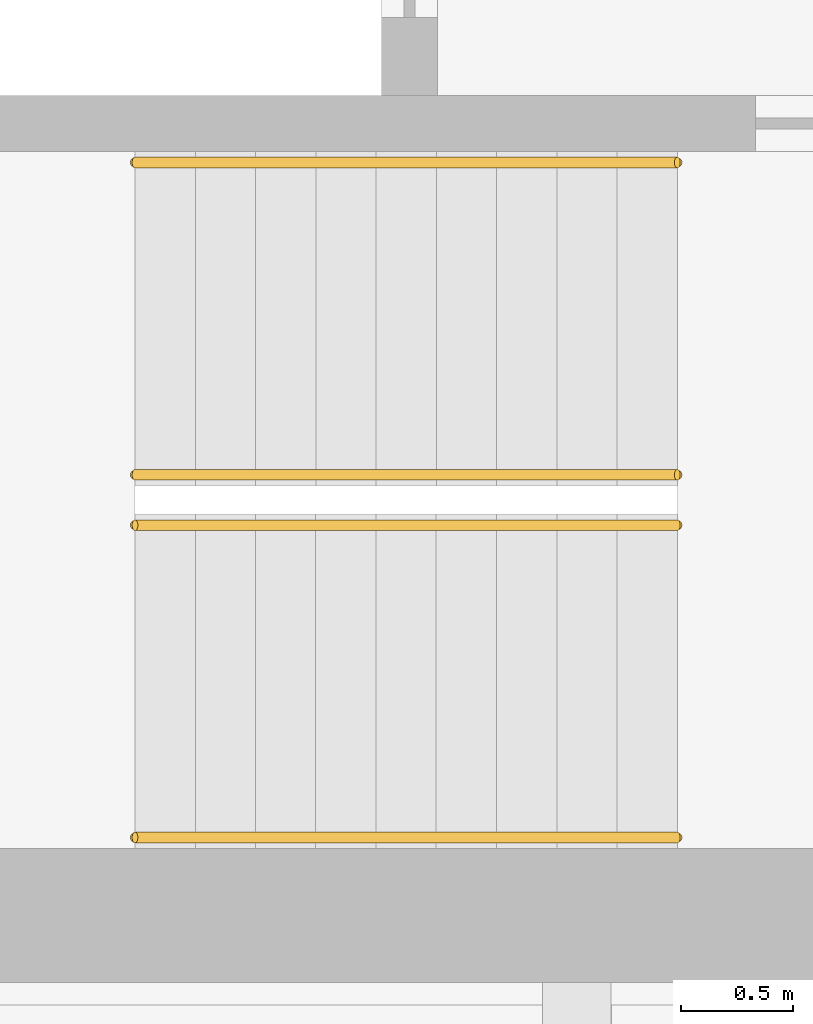
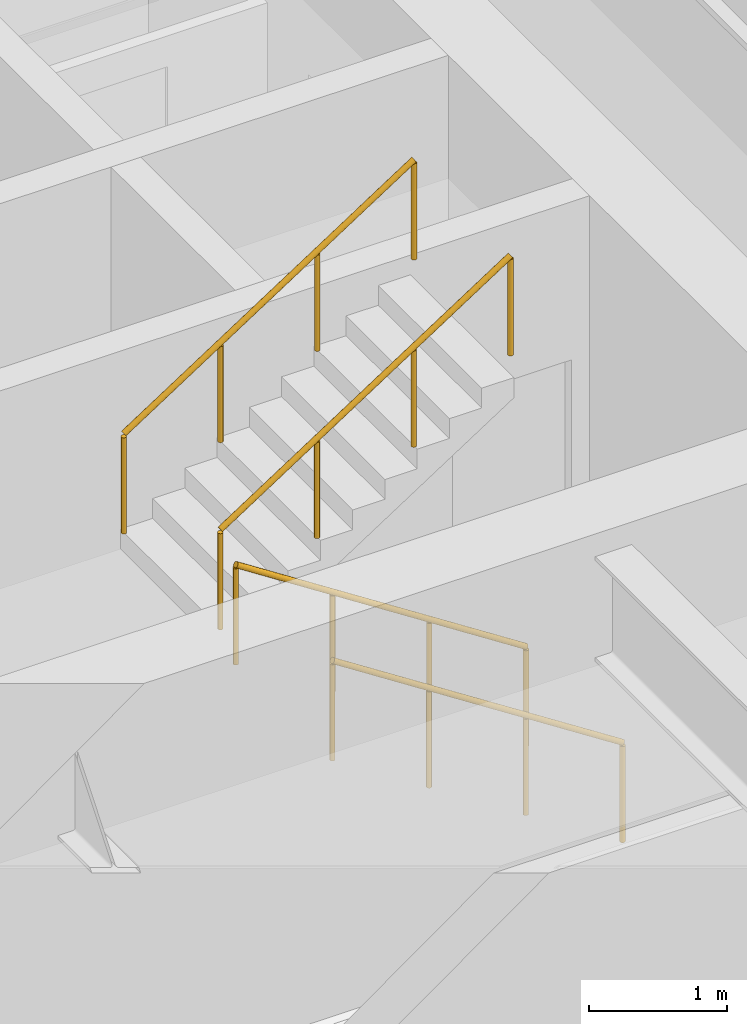
# One storey, part 17 of 21: 4 railings.
"""IFC4 building model written with IfcOpenShell, lengths in metres."""

from ifc_helpers import new_model, si_unit, direction, frame, origin, origin_2d, place, context, subcontext, project, spatial, circle, extrude, material, type_object, element, save


model = new_model("IFC4")

# Units and contexts
model_context = context("Model", 3, precision=1e-05, world=origin(), true_north=direction((0.0, 1.0)))
body_context = subcontext(model_context, "Body", "Model", "MODEL_VIEW")
ifc_project = project(units=[si_unit("LENGTHUNIT", "METRE"), si_unit("AREAUNIT", "SQUARE_METRE"), si_unit("VOLUMEUNIT", "CUBIC_METRE"), si_unit("PLANEANGLEUNIT", "RADIAN"), si_unit("MASSUNIT", "GRAM", prefix="KILO")], contexts=[model_context])

# Site, building, storey
site_placement = place(None, origin())
site = spatial("IfcSite", under=ifc_project, at=site_placement, CompositionType="ELEMENT")
building_placement = place(site_placement, origin())
building = spatial("IfcBuilding", under=site, at=building_placement, Name="Msasa Ring Tower", CompositionType="ELEMENT")
storey_placement = place(building_placement, frame((0.0, 0.0, 30.0)))
storey = spatial("IfcBuildingStorey", under=building, at=storey_placement, Name="L06", CompositionType="ELEMENT", Elevation=30.0)

# Railings
ifc_material = material(Name="Stainless steel", Category="steel")
railing_type = type_object("IfcRailingType", Name="HR1 HANDRAIL 900", PredefinedType="HANDRAIL", material=ifc_material)
for number, where, name in (
    (1, (-10.800048828125, -6.39990234375, 0.175048828125), "Handrail stair SWA L06 1"),
    (2, (-10.800048828125, -5.0, 0.175048828125), "Handrail stair SWA L06 2"),
):
    element("IfcRailing", number, at=place(storey_placement, frame(where)), inside=storey, type_object=railing_type, Name=name, PredefinedType="HANDRAIL", context=body_context, shape_type="SweptSolid", body=[
        extrude(circle(Radius=0.02392578125, at=origin_2d()), frame((0.0, 0.0, 0.8759765625), z_axis=(-0.839153699163, 0.0, 0.543894354798), x_axis=(0.0, -1.0, 0.0)), (0.0, 0.0, 1.0), 2.895751953125),
        extrude(circle(Radius=0.02099609375, at=origin_2d()), origin(), (0.0, 0.0, 1.0), 0.851806640625),
        extrude(circle(Radius=0.02099609375, at=origin_2d()), frame((-0.81005859375, 0.0, 0.52490234375)), (0.0, 0.0, 1.0), 0.851806640625),
        extrude(circle(Radius=0.02099609375, at=origin_2d()), frame((-1.619873046875, 0.0, 1.050048828125)), (0.0, 0.0, 1.0), 0.851806640625),
        extrude(circle(Radius=0.02099609375, at=origin_2d()), frame((-2.429931640625, 0.0, 1.574951171875)), (0.0, 0.0, 1.0), 0.851806640625),
    ])
for number, where, name in (
    (3, (-13.22998046875, -4.77490234375, 1.925048828125), "Handrail stair SWA L06 3"),
    (4, (-13.22998046875, -3.375, 1.925048828125), "Handrail stair SWA L06 4"),
):
    element("IfcRailing", number, at=place(storey_placement, frame(where)), inside=storey, type_object=railing_type, Name=name, PredefinedType="HANDRAIL", context=body_context, shape_type="SweptSolid", body=[
        extrude(circle(Radius=0.02392578125, at=origin_2d()), frame((0.0, 0.0, 0.8759765625), z_axis=(0.839153699163, 0.0, 0.543894354798), x_axis=(0.0, 1.0, 0.0)), (0.0, 0.0, 1.0), 2.895751953125),
        extrude(circle(Radius=0.02099609375, at=origin_2d()), origin(), (0.0, 0.0, 1.0), 0.851806640625),
        extrude(circle(Radius=0.02099609375, at=origin_2d()), frame((0.81005859375, 0.0, 0.52490234375)), (0.0, 0.0, 1.0), 0.851806640625),
        extrude(circle(Radius=0.02099609375, at=origin_2d()), frame((1.619873046875, 0.0, 1.050048828125)), (0.0, 0.0, 1.0), 0.851806640625),
        extrude(circle(Radius=0.02099609375, at=origin_2d()), frame((2.429931640625, 0.0, 1.574951171875)), (0.0, 0.0, 1.0), 0.851806640625),
    ])

save(model, "model.ifc")
